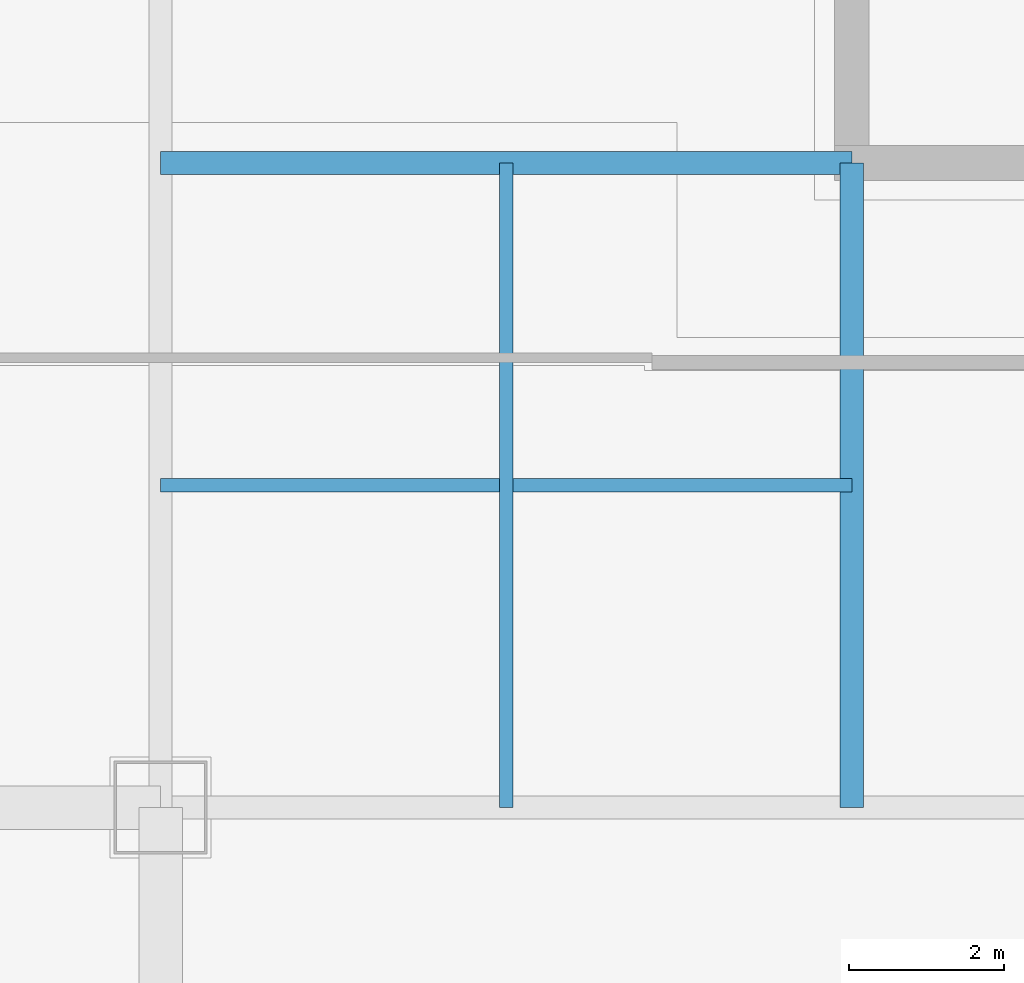
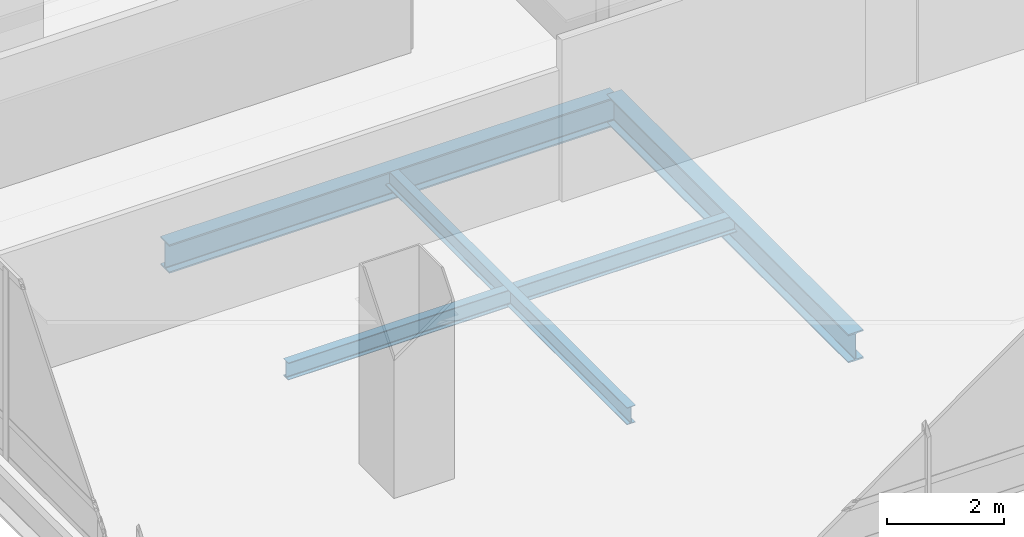
# One storey, part 6 of 43: 4 beams.
"""IFC4 building model written with IfcOpenShell, lengths in metres."""

from ifc_helpers import new_model, si_unit, direction, frame, origin, origin_2d, place, context, subcontext, project, spatial, i_section, extrude, material, material_profile, profile_set, type_object, element, save


model = new_model("IFC4")

# Units and contexts
model_context = context("Model", 3, precision=1e-05, world=origin(), true_north=direction((0.0, 1.0)))
body_context = subcontext(model_context, "Body", "Model", "MODEL_VIEW")
ifc_project = project(units=[si_unit("LENGTHUNIT", "METRE"), si_unit("AREAUNIT", "SQUARE_METRE"), si_unit("VOLUMEUNIT", "CUBIC_METRE"), si_unit("PLANEANGLEUNIT", "RADIAN"), si_unit("MASSUNIT", "GRAM", prefix="KILO")], contexts=[model_context])

# Site, building, storey
site_placement = place(None, origin())
site = spatial("IfcSite", under=ifc_project, at=site_placement, CompositionType="ELEMENT")
building_placement = place(site_placement, origin())
building = spatial("IfcBuilding", under=site, at=building_placement, Name="Punatoya Terracotta Tower", CompositionType="ELEMENT")
storey_placement = place(building_placement, frame((0.0, 0.0, 321.60009765625)))
storey = spatial("IfcBuildingStorey", under=building, at=storey_placement, Name="L76", CompositionType="ELEMENT", Elevation=321.60009765625)

# Beams
ifc_material = material(Name="Steel S355", Category="steel")
ifc_material_profile_1 = material_profile(ifc_material, i_section(OverallWidth=0.300048828125, OverallDepth=0.60009765625, WebThickness=0.015380859375, FlangeThickness=0.030029296875, FilletRadius=0.01806640625, at=origin_2d()))
ifc_profile_set_1 = profile_set([ifc_material_profile_1], Name="Steel S355")
beam_type_1 = type_object("IfcBeamType", Name="BM-PRI-600", PredefinedType="BEAM", material=ifc_profile_set_1)
beam_1_placement = place(storey_placement, frame((-19.10009765625, -9.199951171875, -0.5), z_axis=(1.0, 0.0, 0.0), x_axis=(0.0, 1.0, 0.0)))
element("IfcBeam", 1, at=beam_1_placement, inside=storey, type_object=beam_type_1, Name="BM-L76-PR-WS", PredefinedType="BEAM", context=body_context, shape_type="SweptSolid", body=[
    extrude(i_section(OverallWidth=0.300048828125, OverallDepth=0.60009765625, WebThickness=0.015380859375, FlangeThickness=0.030029296875, FilletRadius=0.01806640625, at=origin_2d()), origin(), (0.0, 0.0, 1.0), 8.900146484375),
])
beam_2_placement = place(storey_placement, frame((-10.199951171875, -17.5, -0.5), z_axis=(0.0, 1.0, 0.0), x_axis=(-1.0, 0.0, 0.0)))
element("IfcBeam", 2, at=beam_2_placement, inside=storey, type_object=beam_type_1, Name="BM-L76-PR-S1", PredefinedType="BEAM", context=body_context, shape_type="SweptSolid", body=[
    extrude(i_section(OverallWidth=0.300048828125, OverallDepth=0.60009765625, WebThickness=0.015380859375, FlangeThickness=0.030029296875, FilletRadius=0.01806640625, at=origin_2d()), origin(), (0.0, 0.0, 1.0), 8.300048828125),
])
ifc_material_profile_2 = material_profile(ifc_material, i_section(OverallWidth=0.169921875, OverallDepth=0.360107421875, WebThickness=0.008056640625, FlangeThickness=0.0126953125, FilletRadius=0.01806640625, at=origin_2d()))
ifc_profile_set_2 = profile_set([ifc_material_profile_2], Name="Steel S355")
beam_type_2 = type_object("IfcBeamType", Name="BM-SEC-360", PredefinedType="JOIST", material=ifc_profile_set_2)
beam_3_placement = place(storey_placement, frame((-19.10009765625, -13.35009765625, -0.380126953125), z_axis=(1.0, 0.0, 0.0), x_axis=(0.0, 1.0, 0.0)))
element("IfcBeam", 3, at=beam_3_placement, inside=storey, type_object=beam_type_2, Name="BM-L76-SJS-1", PredefinedType="JOIST", context=body_context, shape_type="SweptSolid", body=[
    extrude(i_section(OverallWidth=0.169921875, OverallDepth=0.360107421875, WebThickness=0.008056640625, FlangeThickness=0.0126953125, FilletRadius=0.01806640625, at=origin_2d()), origin(), (0.0, 0.0, 1.0), 8.900146484375),
])
beam_4_placement = place(storey_placement, frame((-14.64990234375, -17.5, -0.380126953125), z_axis=(0.0, 1.0, 0.0), x_axis=(-1.0, 0.0, 0.0)))
element("IfcBeam", 4, at=beam_4_placement, inside=storey, type_object=beam_type_2, Name="BM-L76-SJW-1", PredefinedType="JOIST", context=body_context, shape_type="SweptSolid", body=[
    extrude(i_section(OverallWidth=0.169921875, OverallDepth=0.360107421875, WebThickness=0.008056640625, FlangeThickness=0.0126953125, FilletRadius=0.01806640625, at=origin_2d()), origin(), (0.0, 0.0, 1.0), 8.300048828125),
])

save(model, "model.ifc")
